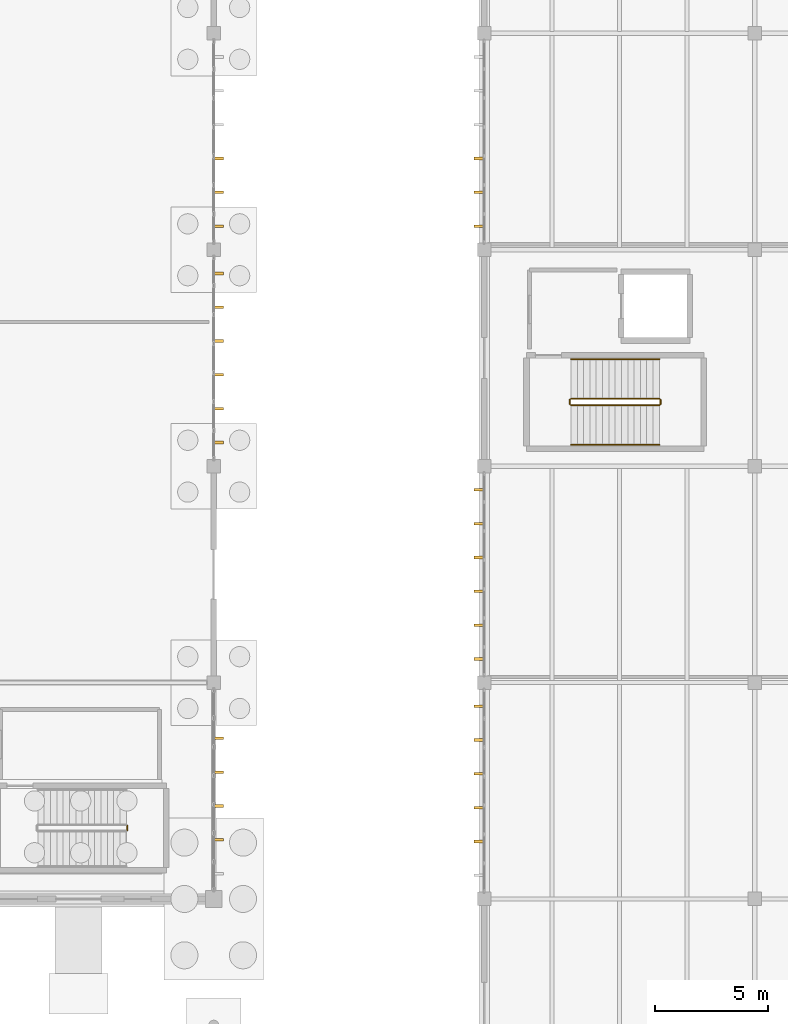
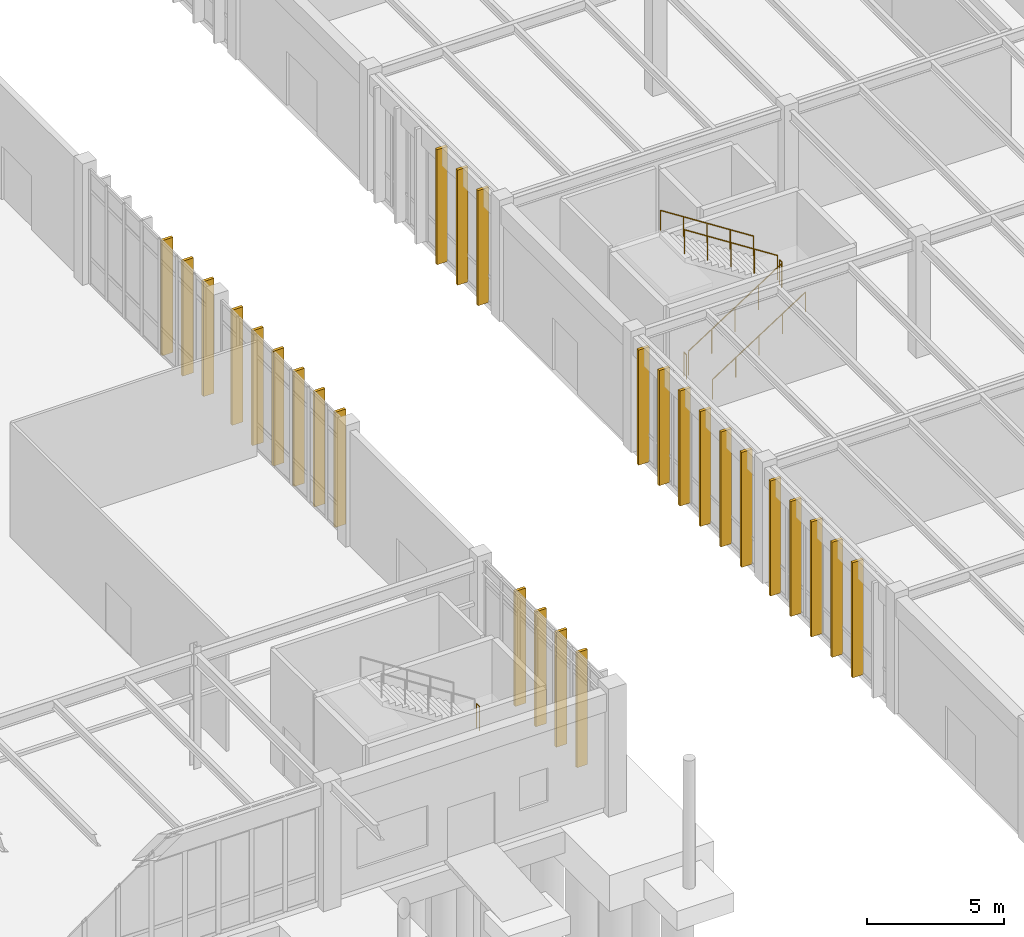
# One storey, part 183 of 188: 27 shading devices, 7 railings.
"""IFC4 building model written with IfcOpenShell, lengths in metres."""

from ifc_helpers import new_model, si_unit, direction, frame, origin, origin_2d, place, context, subcontext, project, spatial, rectangle, circle, extrude, material, type_object, element, save


model = new_model("IFC4")

# Units and contexts
model_context = context("Model", 3, precision=1e-05, world=origin(), true_north=direction((0.0, 1.0)))
body_context = subcontext(model_context, "Body", "Model", "MODEL_VIEW")
ifc_project = project(units=[si_unit("LENGTHUNIT", "METRE"), si_unit("AREAUNIT", "SQUARE_METRE"), si_unit("VOLUMEUNIT", "CUBIC_METRE"), si_unit("PLANEANGLEUNIT", "RADIAN"), si_unit("MASSUNIT", "GRAM", prefix="KILO")], contexts=[model_context])

# Site, building, storey
site_placement = place(None, origin())
site = spatial("IfcSite", under=ifc_project, at=site_placement, CompositionType="ELEMENT")
building_placement = place(site_placement, origin())
building = spatial("IfcBuilding", under=site, at=building_placement, Name="Pandanus Reach Market Hall", CompositionType="ELEMENT")
storey_placement = place(building_placement, origin())
storey = spatial("IfcBuildingStorey", under=building, at=storey_placement, Name="L00", CompositionType="ELEMENT", Elevation=0.0)

# Shading devices
ifc_material_1 = material(Name="Precast concrete S50 (50 MPa)", Category="concrete")
shading_device_type = type_object("IfcShadingDeviceType", Name="FN-S50-450", PredefinedType="JALOUSIE", material=ifc_material_1)
for number, where, z_axis, x_axis, name in (
    (1, (132.219970703125, 31.425048828125, -0.010009765625), (0.0, 0.0, 1.0), (1.0, 0.0, 0.0), "Precast brise-soleil fin 75"),
    (2, (132.219970703125, 32.925048828125, -0.010009765625), (0.0, 0.0, 1.0), (1.0, 0.0, 0.0), "Precast brise-soleil fin 76"),
    (3, (132.219970703125, 34.425048828125, -0.010009765625), (0.0, 0.0, 1.0), (1.0, 0.0, 0.0), "Precast brise-soleil fin 77"),
    (4, (132.219970703125, 35.925048828125, -0.010009765625), (0.0, 0.0, 1.0), (1.0, 0.0, 0.0), "Precast brise-soleil fin 78"),
    (5, (132.219970703125, 49.050048828125, -0.010009765625), (0.0, 0.0, 1.0), (1.0, 0.0, 0.0), "Precast brise-soleil fin 108"),
    (6, (132.219970703125, 50.550048828125, -0.010009765625), (0.0, 0.0, 1.0), (1.0, 0.0, 0.0), "Precast brise-soleil fin 109"),
    (7, (132.219970703125, 52.050048828125, -0.010009765625), (0.0, 0.0, 1.0), (1.0, 0.0, 0.0), "Precast brise-soleil fin 110"),
    (8, (132.219970703125, 53.550048828125, -0.010009765625), (0.0, 0.0, 1.0), (1.0, 0.0, 0.0), "Precast brise-soleil fin 111"),
    (9, (132.219970703125, 55.050048828125, -0.010009765625), (0.0, 0.0, 1.0), (1.0, 0.0, 0.0), "Precast brise-soleil fin 112"),
    (10, (132.219970703125, 56.550048828125, -0.010009765625), (0.0, 0.0, 1.0), (1.0, 0.0, 0.0), "Precast brise-soleil fin 113"),
    (11, (132.219970703125, 58.64990234375, -0.010009765625), (0.0, 0.0, 1.0), (1.0, 0.0, 0.0), "Precast brise-soleil fin 132"),
    (12, (132.219970703125, 60.14990234375, -0.010009765625), (0.0, 0.0, 1.0), (1.0, 0.0, 0.0), "Precast brise-soleil fin 133"),
    (13, (132.219970703125, 61.64990234375, -0.010009765625), (0.0, 0.0, 1.0), (1.0, 0.0, 0.0), "Precast brise-soleil fin 134"),
    (14, (143.780029296875, 31.35009765625, -0.010009765625), (0.0, 0.0, 1.0), (-1.0, 0.0, 0.0), "Precast brise-soleil fin 304"),
    (15, (143.780029296875, 32.85009765625, -0.010009765625), (0.0, 0.0, 1.0), (-1.0, 0.0, 0.0), "Precast brise-soleil fin 305"),
    (16, (143.780029296875, 34.35009765625, -0.010009765625), (0.0, 0.0, 1.0), (-1.0, 0.0, 0.0), "Precast brise-soleil fin 306"),
    (17, (143.780029296875, 35.85009765625, -0.010009765625), (0.0, 0.0, 1.0), (-1.0, 0.0, 0.0), "Precast brise-soleil fin 307"),
    (18, (143.780029296875, 37.35009765625, -0.010009765625), (0.0, 0.0, 1.0), (-1.0, 0.0, 0.0), "Precast brise-soleil fin 308"),
    (19, (143.780029296875, 39.449951171875, -0.010009765625), (0.0, 0.0, 1.0), (-1.0, 0.0, 0.0), "Precast brise-soleil fin 309"),
    (20, (143.780029296875, 40.949951171875, -0.010009765625), (0.0, 0.0, 1.0), (-1.0, 0.0, 0.0), "Precast brise-soleil fin 310"),
    (21, (143.780029296875, 42.449951171875, -0.010009765625), (0.0, 0.0, 1.0), (-1.0, 0.0, 0.0), "Precast brise-soleil fin 311"),
    (22, (143.780029296875, 43.949951171875, -0.010009765625), (0.0, 0.0, 1.0), (-1.0, 0.0, 0.0), "Precast brise-soleil fin 312"),
    (23, (143.780029296875, 45.449951171875, -0.010009765625), (0.0, 0.0, 1.0), (-1.0, 0.0, 0.0), "Precast brise-soleil fin 313"),
    (24, (143.780029296875, 46.949951171875, -0.010009765625), (0.0, 0.0, 1.0), (-1.0, 0.0, 0.0), "Precast brise-soleil fin 314"),
    (25, (143.780029296875, 58.64990234375, -0.010009765625), (0.0, 0.0, 1.0), (-1.0, 0.0, 0.0), "Precast brise-soleil fin 315"),
    (26, (143.780029296875, 60.14990234375, -0.010009765625), (0.0, 0.0, 1.0), (-1.0, 0.0, 0.0), "Precast brise-soleil fin 316"),
    (27, (143.780029296875, 61.64990234375, -0.010009765625), (0.0, 0.0, 1.0), (-1.0, 0.0, 0.0), "Precast brise-soleil fin 317"),
):
    element("IfcShadingDevice", number, at=place(storey_placement, frame(where, z_axis=z_axis, x_axis=x_axis)), inside=storey, type_object=shading_device_type, Name=name, PredefinedType="JALOUSIE", context=body_context, shape_type="SweptSolid", body=[
        extrude(rectangle(XDim=0.449951171875, YDim=0.1201171875, at=origin_2d()), origin(), (0.0, 0.0, 1.0), 5.1201171875),
    ])

# Railings
ifc_material_2 = material(Name="Galvanised steel Grade 350 (350 MPa)", Category="steel")
railing_type_1 = type_object("IfcRailingType", Name="GR-INT-110", PredefinedType="GUARDRAIL", material=ifc_material_2)
railing_1_placement = place(storey_placement, frame((147.85009765625, 50.699951171875, 0.179931640625)))
element("IfcRailing", 28, at=railing_1_placement, inside=storey, type_object=railing_type_1, Name="Stair guard ST-03 L00.69", PredefinedType="GUARDRAIL", context=body_context, shape_type="SweptSolid", body=[
    extrude(circle(Radius=0.02392578125, at=origin_2d()), frame((0.0, 0.0, 1.076171875), z_axis=(0.841171666519, 0.0, 0.540768182723), x_axis=(0.0, 1.0, 0.0)), (0.0, 0.0, 1.0), 4.66015625),
    extrude(circle(Radius=0.02099609375, at=origin_2d()), origin(), (0.0, 0.0, 1.0), 1.052001953125),
    extrude(circle(Radius=0.02099609375, at=origin_2d()), frame((0.97998046875, 0.0, 0.6298828125)), (0.0, 0.0, 1.0), 1.052001953125),
    extrude(circle(Radius=0.02099609375, at=origin_2d()), frame((1.9599609375, 0.0, 1.260009765625)), (0.0, 0.0, 1.0), 1.052001953125),
    extrude(circle(Radius=0.02099609375, at=origin_2d()), frame((2.93994140625, 0.0, 1.89013671875)), (0.0, 0.0, 1.0), 1.052001953125),
    extrude(circle(Radius=0.02099609375, at=origin_2d()), frame((3.919921875, 0.0, 2.52001953125)), (0.0, 0.0, 1.0), 1.052001953125),
])
railing_2_placement = place(storey_placement, frame((151.820068359375, 50.75, 2.699951171875)))
element("IfcRailing", 29, at=railing_2_placement, inside=storey, type_object=railing_type_1, Name="Stair guard ST-03 L00.70", PredefinedType="GUARDRAIL", context=body_context, shape_type="SweptSolid", body=[
    extrude(circle(Radius=0.02392578125, at=origin_2d()), frame((0.0, 0.0, 1.076171875), z_axis=(0.0, 1.0, 0.0), x_axis=(-1.0, 0.0, 0.0)), (0.0, 0.0, 1.0), 0.199951171875),
    extrude(circle(Radius=0.02099609375, at=origin_2d()), origin(), (0.0, 0.0, 1.0), 1.052001953125),
    extrude(circle(Radius=0.02099609375, at=origin_2d()), frame((0.0, 0.199951171875, 0.0)), (0.0, 0.0, 1.0), 1.052001953125),
])
railing_3_placement = place(storey_placement, frame((151.77001953125, 51.0, 2.8798828125)))
element("IfcRailing", 30, at=railing_3_placement, inside=storey, type_object=railing_type_1, Name="Stair guard ST-03 L00.71", PredefinedType="GUARDRAIL", context=body_context, shape_type="SweptSolid", body=[
    extrude(circle(Radius=0.02392578125, at=origin_2d()), frame((0.0, 0.0, 1.076171875), z_axis=(-0.841171666519, 0.0, 0.540768182723), x_axis=(0.0, -1.0, 0.0)), (0.0, 0.0, 1.0), 4.66015625),
    extrude(circle(Radius=0.02099609375, at=origin_2d()), origin(), (0.0, 0.0, 1.0), 1.052001953125),
    extrude(circle(Radius=0.02099609375, at=origin_2d()), frame((-0.97998046875, 0.0, 0.6298828125)), (0.0, 0.0, 1.0), 1.052001953125),
    extrude(circle(Radius=0.02099609375, at=origin_2d()), frame((-1.9599609375, 0.0, 1.260009765625)), (0.0, 0.0, 1.0), 1.052001953125),
    extrude(circle(Radius=0.02099609375, at=origin_2d()), frame((-2.93994140625, 0.0, 1.89013671875)), (0.0, 0.0, 1.0), 1.052001953125),
    extrude(circle(Radius=0.02099609375, at=origin_2d()), frame((-3.919921875, 0.0, 2.52001953125)), (0.0, 0.0, 1.0), 1.052001953125),
])
for number, where, name in (
    (31, (147.800048828125, 50.75, 0.0), "Stair guard ST-03 L00.72"),
    (32, (128.169921875, 31.85009765625, 2.699951171875), "Stair guard ST-08 L00.141"),
):
    element("IfcRailing", number, at=place(storey_placement, frame(where)), inside=storey, type_object=railing_type_1, Name=name, PredefinedType="GUARDRAIL", context=body_context, shape_type="SweptSolid", body=[
        extrude(circle(Radius=0.02392578125, at=origin_2d()), frame((0.0, 0.0, 1.076171875), z_axis=(0.0, 1.0, 0.0), x_axis=(-1.0, 0.0, 0.0)), (0.0, 0.0, 1.0), 0.199951171875),
        extrude(circle(Radius=0.02099609375, at=origin_2d()), origin(), (0.0, 0.0, 1.0), 1.052001953125),
        extrude(circle(Radius=0.02099609375, at=origin_2d()), frame((0.0, 0.199951171875, 0.0)), (0.0, 0.0, 1.0), 1.052001953125),
    ])
ifc_material_3 = material(Name="Brushed stainless steel", Category="steel")
railing_type_2 = type_object("IfcRailingType", Name="HR-WAL-090", PredefinedType="HANDRAIL", material=ifc_material_3)
railing_4_placement = place(storey_placement, frame((147.85009765625, 48.949951171875, 0.179931640625)))
element("IfcRailing", 33, at=railing_4_placement, inside=storey, type_object=railing_type_2, Name="Stair handrail ST-03 L00.73", PredefinedType="HANDRAIL", context=body_context, shape_type="SweptSolid", body=[
    extrude(circle(Radius=0.02392578125, at=origin_2d()), frame((0.0, 0.0, 0.8759765625), z_axis=(0.841171666519, 0.0, 0.540768182723), x_axis=(0.0, 1.0, 0.0)), (0.0, 0.0, 1.0), 4.66015625),
    extrude(circle(Radius=0.02099609375, at=origin_2d()), origin(), (0.0, 0.0, 1.0), 0.851806640625),
    extrude(circle(Radius=0.02099609375, at=origin_2d()), frame((0.97998046875, 0.0, 0.6298828125)), (0.0, 0.0, 1.0), 0.851806640625),
    extrude(circle(Radius=0.02099609375, at=origin_2d()), frame((1.9599609375, 0.0, 1.260009765625)), (0.0, 0.0, 1.0), 0.851806640625),
    extrude(circle(Radius=0.02099609375, at=origin_2d()), frame((2.93994140625, 0.0, 1.89013671875)), (0.0, 0.0, 1.0), 0.851806640625),
    extrude(circle(Radius=0.02099609375, at=origin_2d()), frame((3.919921875, 0.0, 2.52001953125)), (0.0, 0.0, 1.0), 0.851806640625),
])
railing_5_placement = place(storey_placement, frame((151.77001953125, 52.75, 2.8798828125)))
element("IfcRailing", 34, at=railing_5_placement, inside=storey, type_object=railing_type_2, Name="Stair handrail ST-03 L00.74", PredefinedType="HANDRAIL", context=body_context, shape_type="SweptSolid", body=[
    extrude(circle(Radius=0.02392578125, at=origin_2d()), frame((0.0, 0.0, 0.8759765625), z_axis=(-0.841171666519, 0.0, 0.540768182723), x_axis=(0.0, -1.0, 0.0)), (0.0, 0.0, 1.0), 4.66015625),
    extrude(circle(Radius=0.02099609375, at=origin_2d()), origin(), (0.0, 0.0, 1.0), 0.851806640625),
    extrude(circle(Radius=0.02099609375, at=origin_2d()), frame((-0.97998046875, 0.0, 0.6298828125)), (0.0, 0.0, 1.0), 0.851806640625),
    extrude(circle(Radius=0.02099609375, at=origin_2d()), frame((-1.9599609375, 0.0, 1.260009765625)), (0.0, 0.0, 1.0), 0.851806640625),
    extrude(circle(Radius=0.02099609375, at=origin_2d()), frame((-2.93994140625, 0.0, 1.89013671875)), (0.0, 0.0, 1.0), 0.851806640625),
    extrude(circle(Radius=0.02099609375, at=origin_2d()), frame((-3.919921875, 0.0, 2.52001953125)), (0.0, 0.0, 1.0), 0.851806640625),
])

save(model, "model.ifc")
